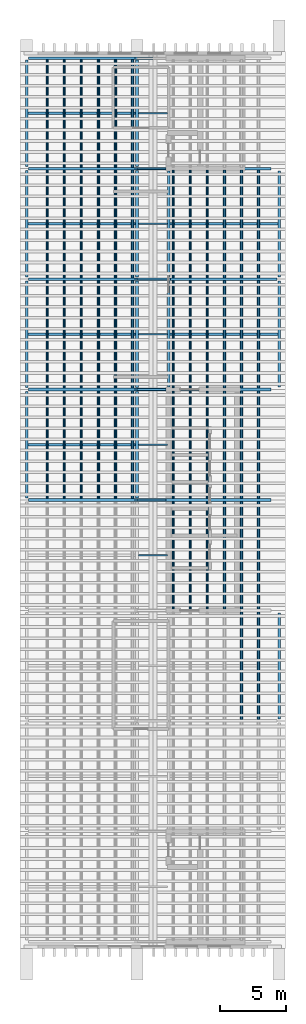
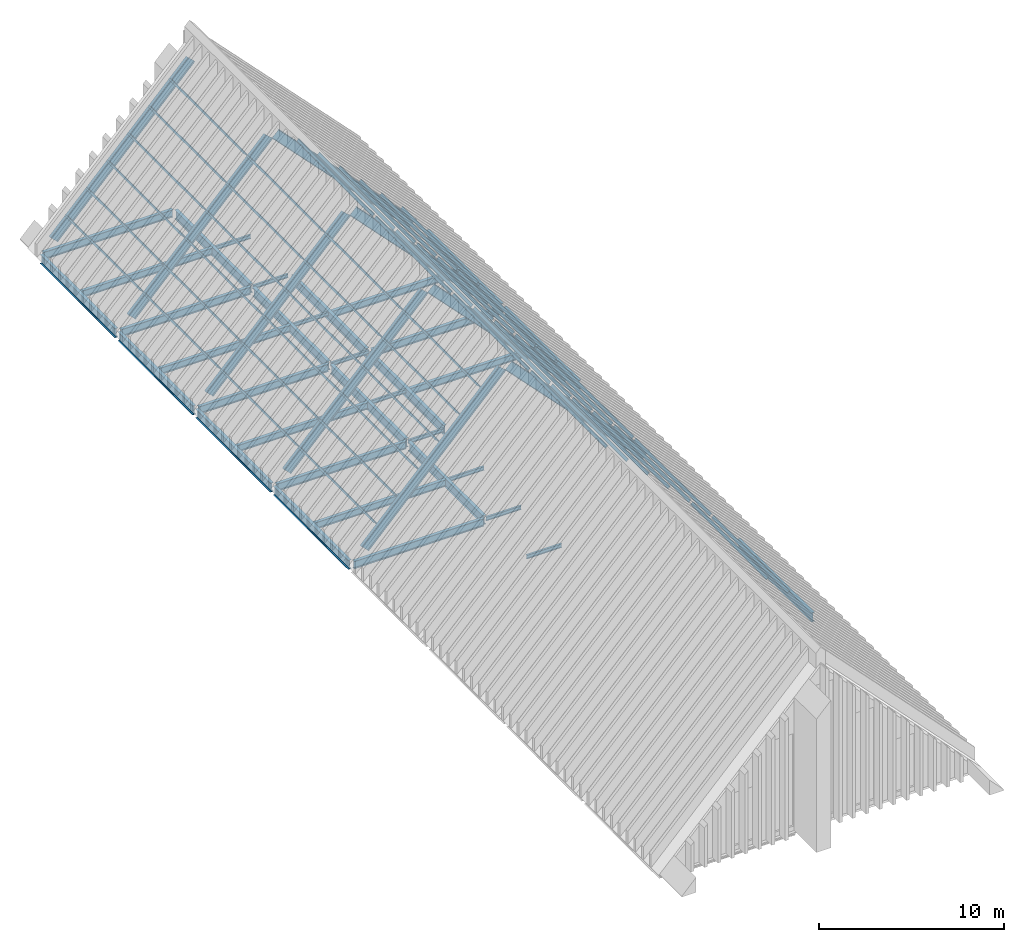
# One storey, part 2 of 6: 59 members, 34 beams.
"""IFC4 building model written with IfcOpenShell, lengths in metres."""

from ifc_helpers import new_model, si_unit, direction, frame, origin, origin_2d, place, context, subcontext, project, spatial, i_section, extrude, material, material_profile, profile_set, type_object, element, save


model = new_model("IFC4")

# Units and contexts
model_context = context("Model", 3, precision=1e-05, world=origin(), true_north=direction((0.0, 1.0)))
body_context = subcontext(model_context, "Body", "Model", "MODEL_VIEW")
ifc_project = project(units=[si_unit("LENGTHUNIT", "METRE"), si_unit("AREAUNIT", "SQUARE_METRE"), si_unit("VOLUMEUNIT", "CUBIC_METRE"), si_unit("PLANEANGLEUNIT", "RADIAN"), si_unit("MASSUNIT", "GRAM", prefix="KILO")], contexts=[model_context])

# Site, building, storey
site_placement = place(None, origin())
site = spatial("IfcSite", under=ifc_project, at=site_placement, CompositionType="ELEMENT")
building_placement = place(site_placement, origin())
building = spatial("IfcBuilding", under=site, at=building_placement, Name="Cresset Court Congress Hotel", CompositionType="ELEMENT")
storey_placement = place(building_placement, frame((0.0, 0.0, 64.800048828125)))
storey = spatial("IfcBuildingStorey", under=building, at=storey_placement, Name="L15", CompositionType="ELEMENT", Elevation=64.800048828125)

# Members
ifc_material_1 = material(Name="Structural steel Q355B", Category="steel")
ifc_material_profile_1 = material_profile(ifc_material_1, i_section(OverallWidth=0.10009765625, OverallDepth=0.199951171875, WebThickness=0.005615234375, FlangeThickness=0.008056640625, FilletRadius=0.012939453125, at=origin_2d()), Name="HN200x100x5.5x8")
ifc_profile_set_1 = profile_set([ifc_material_profile_1], Name="Structural steel Q355B")
member_type_1 = type_object("IfcMemberType", Name="Roof purlin HN200x100x5.5x8", PredefinedType="PURLIN", material=ifc_profile_set_1)
for number, where, z_axis, x_axis, name in (
    (1, (165.25146484375, 33.699951171875, 8.529541015625), (0.0, 1.0, 0.0), (-0.693245874601, 0.0, -0.720701156756), "A.pur.L15.W.0.4"),
    (2, (165.25146484375, 42.10009765625, 8.529541015625), (0.0, 1.0, 0.0), (-0.693245874601, 0.0, -0.720701156756), "A.pur.L15.W.0.5"),
    (3, (165.25146484375, 50.5, 8.529541015625), (0.0, 1.0, 0.0), (-0.693245874601, 0.0, -0.720701156756), "A.pur.L15.W.0.6"),
):
    element("IfcMember", number, at=place(storey_placement, frame(where, z_axis=z_axis, x_axis=x_axis)), inside=storey, type_object=member_type_1, Name=name, PredefinedType="PURLIN", context=body_context, shape_type="SweptSolid", body=[
        extrude(i_section(OverallWidth=0.10009765625, OverallDepth=0.199951171875, WebThickness=0.005615234375, FlangeThickness=0.008056640625, FilletRadius=0.012939453125, at=origin_2d()), origin(), (0.0, 0.0, 1.0), 8.199951171875),
    ])
member_1_placement = place(storey_placement, frame((165.25146484375, 58.89990234375, 8.529541015625), z_axis=(0.0, 1.0, 0.0), x_axis=(-0.693245874601, 0.0, -0.720701156756)))
element("IfcMember", 4, at=member_1_placement, inside=storey, type_object=member_type_1, Name="A.pur.L15.W.0.7", PredefinedType="PURLIN", context=body_context, shape_type="SweptSolid", body=[
    extrude(i_section(OverallWidth=0.10009765625, OverallDepth=0.199951171875, WebThickness=0.005615234375, FlangeThickness=0.008056640625, FilletRadius=0.012939453125, at=origin_2d()), origin(), (0.0, 0.0, 1.0), 8.2001953125),
])
for number, where, z_axis, x_axis, name in (
    (5, (163.95458984375, 33.699951171875, 7.18115234375), (0.0, 1.0, 0.0), (-0.693245874601, 0.0, -0.720701156756), "A.pur.L15.W.1.4"),
    (6, (163.95458984375, 42.10009765625, 7.18115234375), (0.0, 1.0, 0.0), (-0.693245874601, 0.0, -0.720701156756), "A.pur.L15.W.1.5"),
    (7, (163.95458984375, 50.5, 7.18115234375), (0.0, 1.0, 0.0), (-0.693245874601, 0.0, -0.720701156756), "A.pur.L15.W.1.6"),
):
    element("IfcMember", number, at=place(storey_placement, frame(where, z_axis=z_axis, x_axis=x_axis)), inside=storey, type_object=member_type_1, Name=name, PredefinedType="PURLIN", context=body_context, shape_type="SweptSolid", body=[
        extrude(i_section(OverallWidth=0.10009765625, OverallDepth=0.199951171875, WebThickness=0.005615234375, FlangeThickness=0.008056640625, FilletRadius=0.012939453125, at=origin_2d()), origin(), (0.0, 0.0, 1.0), 8.199951171875),
    ])
member_2_placement = place(storey_placement, frame((163.95458984375, 58.89990234375, 7.18115234375), z_axis=(0.0, 1.0, 0.0), x_axis=(-0.693245874601, 0.0, -0.720701156756)))
element("IfcMember", 8, at=member_2_placement, inside=storey, type_object=member_type_1, Name="A.pur.L15.W.1.7", PredefinedType="PURLIN", context=body_context, shape_type="SweptSolid", body=[
    extrude(i_section(OverallWidth=0.10009765625, OverallDepth=0.199951171875, WebThickness=0.005615234375, FlangeThickness=0.008056640625, FilletRadius=0.012939453125, at=origin_2d()), origin(), (0.0, 0.0, 1.0), 8.2001953125),
])
for number, where, z_axis, x_axis, name in (
    (9, (162.65771484375, 33.699951171875, 5.832763671875), (0.0, 1.0, 0.0), (-0.693245874601, 0.0, -0.720701156756), "A.pur.L15.W.2.4"),
    (10, (162.65771484375, 42.10009765625, 5.832763671875), (0.0, 1.0, 0.0), (-0.693245874601, 0.0, -0.720701156756), "A.pur.L15.W.2.5"),
    (11, (162.65771484375, 50.5, 5.832763671875), (0.0, 1.0, 0.0), (-0.693245874601, 0.0, -0.720701156756), "A.pur.L15.W.2.6"),
):
    element("IfcMember", number, at=place(storey_placement, frame(where, z_axis=z_axis, x_axis=x_axis)), inside=storey, type_object=member_type_1, Name=name, PredefinedType="PURLIN", context=body_context, shape_type="SweptSolid", body=[
        extrude(i_section(OverallWidth=0.10009765625, OverallDepth=0.199951171875, WebThickness=0.005615234375, FlangeThickness=0.008056640625, FilletRadius=0.012939453125, at=origin_2d()), origin(), (0.0, 0.0, 1.0), 8.199951171875),
    ])
member_3_placement = place(storey_placement, frame((162.65771484375, 58.89990234375, 5.832763671875), z_axis=(0.0, 1.0, 0.0), x_axis=(-0.693245874601, 0.0, -0.720701156756)))
element("IfcMember", 12, at=member_3_placement, inside=storey, type_object=member_type_1, Name="A.pur.L15.W.2.7", PredefinedType="PURLIN", context=body_context, shape_type="SweptSolid", body=[
    extrude(i_section(OverallWidth=0.10009765625, OverallDepth=0.199951171875, WebThickness=0.005615234375, FlangeThickness=0.008056640625, FilletRadius=0.012939453125, at=origin_2d()), origin(), (0.0, 0.0, 1.0), 8.2001953125),
])
for number, where, z_axis, x_axis, name in (
    (13, (161.360595703125, 33.699951171875, 4.484375), (0.0, 1.0, 0.0), (-0.693245874601, 0.0, -0.720701156756), "A.pur.L15.W.3.4"),
    (14, (161.360595703125, 42.10009765625, 4.484375), (0.0, 1.0, 0.0), (-0.693245874601, 0.0, -0.720701156756), "A.pur.L15.W.3.5"),
    (15, (161.360595703125, 50.5, 4.484375), (0.0, 1.0, 0.0), (-0.693245874601, 0.0, -0.720701156756), "A.pur.L15.W.3.6"),
):
    element("IfcMember", number, at=place(storey_placement, frame(where, z_axis=z_axis, x_axis=x_axis)), inside=storey, type_object=member_type_1, Name=name, PredefinedType="PURLIN", context=body_context, shape_type="SweptSolid", body=[
        extrude(i_section(OverallWidth=0.10009765625, OverallDepth=0.199951171875, WebThickness=0.005615234375, FlangeThickness=0.008056640625, FilletRadius=0.012939453125, at=origin_2d()), origin(), (0.0, 0.0, 1.0), 8.199951171875),
    ])
member_4_placement = place(storey_placement, frame((161.360595703125, 58.89990234375, 4.484375), z_axis=(0.0, 1.0, 0.0), x_axis=(-0.693245874601, 0.0, -0.720701156756)))
element("IfcMember", 16, at=member_4_placement, inside=storey, type_object=member_type_1, Name="A.pur.L15.W.3.7", PredefinedType="PURLIN", context=body_context, shape_type="SweptSolid", body=[
    extrude(i_section(OverallWidth=0.10009765625, OverallDepth=0.199951171875, WebThickness=0.005615234375, FlangeThickness=0.008056640625, FilletRadius=0.012939453125, at=origin_2d()), origin(), (0.0, 0.0, 1.0), 8.2001953125),
])
for number, where, z_axis, x_axis, name in (
    (17, (160.063720703125, 33.699951171875, 3.13623046875), (0.0, 1.0, 0.0), (-0.693245874601, 0.0, -0.720701156756), "A.pur.L15.W.4.4"),
    (18, (160.063720703125, 42.10009765625, 3.13623046875), (0.0, 1.0, 0.0), (-0.693245874601, 0.0, -0.720701156756), "A.pur.L15.W.4.5"),
    (19, (160.063720703125, 50.5, 3.13623046875), (0.0, 1.0, 0.0), (-0.693245874601, 0.0, -0.720701156756), "A.pur.L15.W.4.6"),
):
    element("IfcMember", number, at=place(storey_placement, frame(where, z_axis=z_axis, x_axis=x_axis)), inside=storey, type_object=member_type_1, Name=name, PredefinedType="PURLIN", context=body_context, shape_type="SweptSolid", body=[
        extrude(i_section(OverallWidth=0.10009765625, OverallDepth=0.199951171875, WebThickness=0.005615234375, FlangeThickness=0.008056640625, FilletRadius=0.012939453125, at=origin_2d()), origin(), (0.0, 0.0, 1.0), 8.199951171875),
    ])
member_5_placement = place(storey_placement, frame((160.063720703125, 58.89990234375, 3.13623046875), z_axis=(0.0, 1.0, 0.0), x_axis=(-0.693245874601, 0.0, -0.720701156756)))
element("IfcMember", 20, at=member_5_placement, inside=storey, type_object=member_type_1, Name="A.pur.L15.W.4.7", PredefinedType="PURLIN", context=body_context, shape_type="SweptSolid", body=[
    extrude(i_section(OverallWidth=0.10009765625, OverallDepth=0.199951171875, WebThickness=0.005615234375, FlangeThickness=0.008056640625, FilletRadius=0.012939453125, at=origin_2d()), origin(), (0.0, 0.0, 1.0), 8.2001953125),
])
for number, where, z_axis, x_axis, name in (
    (21, (158.7666015625, 33.699951171875, 1.787841796875), (0.0, 1.0, 0.0), (-0.693245874601, 0.0, -0.720701156756), "A.pur.L15.W.5.4"),
    (22, (158.7666015625, 42.10009765625, 1.787841796875), (0.0, 1.0, 0.0), (-0.693245874601, 0.0, -0.720701156756), "A.pur.L15.W.5.5"),
    (23, (158.7666015625, 50.5, 1.787841796875), (0.0, 1.0, 0.0), (-0.693245874601, 0.0, -0.720701156756), "A.pur.L15.W.5.6"),
):
    element("IfcMember", number, at=place(storey_placement, frame(where, z_axis=z_axis, x_axis=x_axis)), inside=storey, type_object=member_type_1, Name=name, PredefinedType="PURLIN", context=body_context, shape_type="SweptSolid", body=[
        extrude(i_section(OverallWidth=0.10009765625, OverallDepth=0.199951171875, WebThickness=0.005615234375, FlangeThickness=0.008056640625, FilletRadius=0.012939453125, at=origin_2d()), origin(), (0.0, 0.0, 1.0), 8.199951171875),
    ])
member_6_placement = place(storey_placement, frame((158.7666015625, 58.89990234375, 1.787841796875), z_axis=(0.0, 1.0, 0.0), x_axis=(-0.693245874601, 0.0, -0.720701156756)))
element("IfcMember", 24, at=member_6_placement, inside=storey, type_object=member_type_1, Name="A.pur.L15.W.5.7", PredefinedType="PURLIN", context=body_context, shape_type="SweptSolid", body=[
    extrude(i_section(OverallWidth=0.10009765625, OverallDepth=0.199951171875, WebThickness=0.005615234375, FlangeThickness=0.008056640625, FilletRadius=0.012939453125, at=origin_2d()), origin(), (0.0, 0.0, 1.0), 8.2001953125),
])
for number, where, z_axis, x_axis, name in (
    (25, (168.348388671875, 25.300048828125, 8.529541015625), (0.0, 1.0, 0.0), (-0.693245874601, 0.0, 0.720701156756), "A.pur.L15.E.0.3"),
    (26, (168.348388671875, 33.699951171875, 8.529541015625), (0.0, 1.0, 0.0), (-0.693245874601, 0.0, 0.720701156756), "A.pur.L15.E.0.4"),
    (27, (168.348388671875, 42.10009765625, 8.529541015625), (0.0, 1.0, 0.0), (-0.693245874601, 0.0, 0.720701156756), "A.pur.L15.E.0.5"),
    (28, (168.348388671875, 50.5, 8.529541015625), (0.0, 1.0, 0.0), (-0.693245874601, 0.0, 0.720701156756), "A.pur.L15.E.0.6"),
    (29, (169.6455078125, 25.300048828125, 7.18115234375), (0.0, 1.0, 0.0), (-0.693245874601, 0.0, 0.720701156756), "A.pur.L15.E.1.3"),
    (30, (169.6455078125, 33.699951171875, 7.18115234375), (0.0, 1.0, 0.0), (-0.693245874601, 0.0, 0.720701156756), "A.pur.L15.E.1.4"),
    (31, (169.6455078125, 42.10009765625, 7.18115234375), (0.0, 1.0, 0.0), (-0.693245874601, 0.0, 0.720701156756), "A.pur.L15.E.1.5"),
    (32, (169.6455078125, 50.5, 7.18115234375), (0.0, 1.0, 0.0), (-0.693245874601, 0.0, 0.720701156756), "A.pur.L15.E.1.6"),
    (33, (170.9423828125, 25.300048828125, 5.832763671875), (0.0, 1.0, 0.0), (-0.693245874601, 0.0, 0.720701156756), "A.pur.L15.E.2.3"),
    (34, (170.9423828125, 33.699951171875, 5.832763671875), (0.0, 1.0, 0.0), (-0.693245874601, 0.0, 0.720701156756), "A.pur.L15.E.2.4"),
    (35, (170.9423828125, 42.10009765625, 5.832763671875), (0.0, 1.0, 0.0), (-0.693245874601, 0.0, 0.720701156756), "A.pur.L15.E.2.5"),
    (36, (170.9423828125, 50.5, 5.832763671875), (0.0, 1.0, 0.0), (-0.693245874601, 0.0, 0.720701156756), "A.pur.L15.E.2.6"),
    (37, (172.239501953125, 25.300048828125, 4.484375), (0.0, 1.0, 0.0), (-0.693245874601, 0.0, 0.720701156756), "A.pur.L15.E.3.3"),
    (38, (172.239501953125, 33.699951171875, 4.484375), (0.0, 1.0, 0.0), (-0.693245874601, 0.0, 0.720701156756), "A.pur.L15.E.3.4"),
    (39, (172.239501953125, 42.10009765625, 4.484375), (0.0, 1.0, 0.0), (-0.693245874601, 0.0, 0.720701156756), "A.pur.L15.E.3.5"),
    (40, (172.239501953125, 50.5, 4.484375), (0.0, 1.0, 0.0), (-0.693245874601, 0.0, 0.720701156756), "A.pur.L15.E.3.6"),
):
    element("IfcMember", number, at=place(storey_placement, frame(where, z_axis=z_axis, x_axis=x_axis)), inside=storey, type_object=member_type_1, Name=name, PredefinedType="PURLIN", context=body_context, shape_type="SweptSolid", body=[
        extrude(i_section(OverallWidth=0.10009765625, OverallDepth=0.199951171875, WebThickness=0.005615234375, FlangeThickness=0.008056640625, FilletRadius=0.012939453125, at=origin_2d()), origin(), (0.0, 0.0, 1.0), 8.199951171875),
    ])
member_7_placement = place(storey_placement, frame((173.536376953125, 16.89990234375, 3.13623046875), z_axis=(0.0, 1.0, 0.0), x_axis=(-0.693245874601, 0.0, 0.720701156756)))
element("IfcMember", 41, at=member_7_placement, inside=storey, type_object=member_type_1, Name="A.pur.L15.E.4.2", PredefinedType="PURLIN", context=body_context, shape_type="SweptSolid", body=[
    extrude(i_section(OverallWidth=0.10009765625, OverallDepth=0.199951171875, WebThickness=0.005615234375, FlangeThickness=0.008056640625, FilletRadius=0.012939453125, at=origin_2d()), origin(), (0.0, 0.0, 1.0), 8.2001953125),
])
for number, where, z_axis, x_axis, name in (
    (42, (173.536376953125, 25.300048828125, 3.13623046875), (0.0, 1.0, 0.0), (-0.693245874601, 0.0, 0.720701156756), "A.pur.L15.E.4.3"),
    (43, (173.536376953125, 33.699951171875, 3.13623046875), (0.0, 1.0, 0.0), (-0.693245874601, 0.0, 0.720701156756), "A.pur.L15.E.4.4"),
    (44, (173.536376953125, 42.10009765625, 3.13623046875), (0.0, 1.0, 0.0), (-0.693245874601, 0.0, 0.720701156756), "A.pur.L15.E.4.5"),
    (45, (173.536376953125, 50.5, 3.13623046875), (0.0, 1.0, 0.0), (-0.693245874601, 0.0, 0.720701156756), "A.pur.L15.E.4.6"),
):
    element("IfcMember", number, at=place(storey_placement, frame(where, z_axis=z_axis, x_axis=x_axis)), inside=storey, type_object=member_type_1, Name=name, PredefinedType="PURLIN", context=body_context, shape_type="SweptSolid", body=[
        extrude(i_section(OverallWidth=0.10009765625, OverallDepth=0.199951171875, WebThickness=0.005615234375, FlangeThickness=0.008056640625, FilletRadius=0.012939453125, at=origin_2d()), origin(), (0.0, 0.0, 1.0), 8.199951171875),
    ])
member_8_placement = place(storey_placement, frame((174.83349609375, 16.89990234375, 1.787841796875), z_axis=(0.0, 1.0, 0.0), x_axis=(-0.693245874601, 0.0, 0.720701156756)))
element("IfcMember", 46, at=member_8_placement, inside=storey, type_object=member_type_1, Name="A.pur.L15.E.5.2", PredefinedType="PURLIN", context=body_context, shape_type="SweptSolid", body=[
    extrude(i_section(OverallWidth=0.10009765625, OverallDepth=0.199951171875, WebThickness=0.005615234375, FlangeThickness=0.008056640625, FilletRadius=0.012939453125, at=origin_2d()), origin(), (0.0, 0.0, 1.0), 8.2001953125),
])
for number, where, z_axis, x_axis, name in (
    (47, (174.83349609375, 25.300048828125, 1.787841796875), (0.0, 1.0, 0.0), (-0.693245874601, 0.0, 0.720701156756), "A.pur.L15.E.5.3"),
    (48, (174.83349609375, 33.699951171875, 1.787841796875), (0.0, 1.0, 0.0), (-0.693245874601, 0.0, 0.720701156756), "A.pur.L15.E.5.4"),
    (49, (174.83349609375, 42.10009765625, 1.787841796875), (0.0, 1.0, 0.0), (-0.693245874601, 0.0, 0.720701156756), "A.pur.L15.E.5.5"),
    (50, (174.83349609375, 50.5, 1.787841796875), (0.0, 1.0, 0.0), (-0.693245874601, 0.0, 0.720701156756), "A.pur.L15.E.5.6"),
):
    element("IfcMember", number, at=place(storey_placement, frame(where, z_axis=z_axis, x_axis=x_axis)), inside=storey, type_object=member_type_1, Name=name, PredefinedType="PURLIN", context=body_context, shape_type="SweptSolid", body=[
        extrude(i_section(OverallWidth=0.10009765625, OverallDepth=0.199951171875, WebThickness=0.005615234375, FlangeThickness=0.008056640625, FilletRadius=0.012939453125, at=origin_2d()), origin(), (0.0, 0.0, 1.0), 8.199951171875),
    ])
ifc_material_2 = material(Name="Structural steel Q355B", Category="steel")
ifc_material_profile_2 = material_profile(ifc_material_2, i_section(OverallWidth=0.199951171875, OverallDepth=0.60009765625, WebThickness=0.010986328125, FlangeThickness=0.01708984375, FilletRadius=0.012939453125, at=origin_2d()), Name="HN600x200x11x17")
ifc_profile_set_2 = profile_set([ifc_material_profile_2], Name="Structural steel Q355B")
member_type_2 = type_object("IfcMemberType", Name="Roof rafter HN600x200x11x17", PredefinedType="RAFTER", material=ifc_profile_set_2)
for number, where, z_axis, x_axis, name in (
    (51, (158.018310546875, 33.60009765625, 0.4326171875), (0.693230724133, 0.0, 0.720715729756), (0.0, 1.0, 0.0), "Rafter W5"),
    (52, (158.018310546875, 42.0, 0.4326171875), (0.693230724133, 0.0, 0.720715729756), (0.0, 1.0, 0.0), "Rafter W6"),
    (53, (158.018310546875, 50.39990234375, 0.4326171875), (0.693230724133, 0.0, 0.720715729756), (0.0, 1.0, 0.0), "Rafter W7"),
    (54, (158.018310546875, 58.800048828125, 0.4326171875), (0.693230724133, 0.0, 0.720715729756), (0.0, 1.0, 0.0), "Rafter W8"),
    (55, (158.018310546875, 67.199951171875, 0.4326171875), (0.693230724133, 0.0, 0.720715729756), (0.0, 1.0, 0.0), "Rafter W9"),
):
    element("IfcMember", number, at=place(storey_placement, frame(where, z_axis=z_axis, x_axis=x_axis)), inside=storey, type_object=member_type_2, Name=name, PredefinedType="RAFTER", context=body_context, shape_type="SweptSolid", body=[
        extrude(i_section(OverallWidth=0.199951171875, OverallDepth=0.60009765625, WebThickness=0.010986328125, FlangeThickness=0.01708984375, FilletRadius=0.012939453125, at=origin_2d()), origin(), (0.0, 0.0, 1.0), 12.355712890625),
    ])
for number, where, z_axis, x_axis, name in (
    (56, (175.581787109375, 33.60009765625, 0.4326171875), (-0.693240987451, 0.0, 0.720705857696), (0.0, -1.0, 0.0), "Rafter E5"),
    (57, (175.581787109375, 42.0, 0.4326171875), (-0.693240987451, 0.0, 0.720705857696), (0.0, -1.0, 0.0), "Rafter E6"),
    (58, (175.581787109375, 50.39990234375, 0.4326171875), (-0.693240987451, 0.0, 0.720705857696), (0.0, -1.0, 0.0), "Rafter E7"),
    (59, (175.581787109375, 58.800048828125, 0.4326171875), (-0.693240987451, 0.0, 0.720705857696), (0.0, -1.0, 0.0), "Rafter E8"),
):
    element("IfcMember", number, at=place(storey_placement, frame(where, z_axis=z_axis, x_axis=x_axis)), inside=storey, type_object=member_type_2, Name=name, PredefinedType="RAFTER", context=body_context, shape_type="SweptSolid", body=[
        extrude(i_section(OverallWidth=0.199951171875, OverallDepth=0.60009765625, WebThickness=0.010986328125, FlangeThickness=0.01708984375, FilletRadius=0.012939453125, at=origin_2d()), origin(), (0.0, 0.0, 1.0), 12.35595703125),
    ])

# Beams
ifc_material_3 = material(Name="Structural steel Q355B", Category="steel")
ifc_material_profile_3 = material_profile(ifc_material_3, i_section(OverallWidth=0.198974609375, OverallDepth=0.446044921875, WebThickness=0.008056640625, FlangeThickness=0.011962890625, FilletRadius=0.012939453125, at=origin_2d()), Name="HN446x199x8x12")
ifc_profile_set_3 = profile_set([ifc_material_profile_3], Name="Structural steel Q355B")
beam_type_1 = type_object("IfcBeamType", Name="Steel beam HN446x199x8x12", PredefinedType="BEAM", material=ifc_profile_set_3)
for number, where, z_axis, x_axis, name in (
    (60, (157.300048828125, 37.800048828125, -0.373046875), (1.0, 0.0, 0.0), (0.0, 1.0, 0.0), "A.bm.L15.W.mid.4"),
    (61, (157.300048828125, 46.199951171875, -0.373046875), (1.0, 0.0, 0.0), (0.0, 1.0, 0.0), "A.bm.L15.W.mid.5"),
    (62, (168.10009765625, 46.199951171875, -0.373046875), (1.0, 0.0, 0.0), (0.0, 1.0, 0.0), "A.bm.L15.E.mid.5"),
    (63, (157.300048828125, 54.60009765625, -0.373046875), (1.0, 0.0, 0.0), (0.0, 1.0, 0.0), "A.bm.L15.W.mid.6"),
    (64, (168.10009765625, 54.60009765625, -0.373046875), (1.0, 0.0, 0.0), (0.0, 1.0, 0.0), "A.bm.L15.E.mid.6"),
    (65, (157.300048828125, 63.0, -0.373046875), (1.0, 0.0, 0.0), (0.0, 1.0, 0.0), "A.bm.L15.W.mid.7"),
):
    element("IfcBeam", number, at=place(storey_placement, frame(where, z_axis=z_axis, x_axis=x_axis)), inside=storey, type_object=beam_type_1, Name=name, PredefinedType="BEAM", context=body_context, shape_type="SweptSolid", body=[
        extrude(i_section(OverallWidth=0.198974609375, OverallDepth=0.446044921875, WebThickness=0.008056640625, FlangeThickness=0.011962890625, FilletRadius=0.012939453125, at=origin_2d()), origin(), (0.0, 0.0, 1.0), 8.199951171875),
    ])
ifc_material_4 = material(Name="Structural steel Q355B", Category="steel")
ifc_material_profile_4 = material_profile(ifc_material_4, i_section(OverallWidth=0.125, OverallDepth=0.25, WebThickness=0.006103515625, FlangeThickness=0.009033203125, FilletRadius=0.012939453125, at=origin_2d()), Name="HN250x125x6x9")
ifc_profile_set_4 = profile_set([ifc_material_profile_4], Name="Structural steel Q355B")
beam_type_2 = type_object("IfcBeamType", Name="Steel corridor beam HN250x125x6x9", PredefinedType="BEAM", material=ifc_profile_set_4)
beam_1_placement = place(storey_placement, frame((165.699951171875, 29.39990234375, -0.275146484375), z_axis=(1.0, 0.0, 0.0), x_axis=(0.0, 1.0, 0.0)))
element("IfcBeam", 66, at=beam_1_placement, inside=storey, type_object=beam_type_2, Name="A.bm.L15.C.mid.3", PredefinedType="BEAM", context=body_context, shape_type="SweptSolid", body=[
    extrude(i_section(OverallWidth=0.125, OverallDepth=0.25, WebThickness=0.006103515625, FlangeThickness=0.009033203125, FilletRadius=0.012939453125, at=origin_2d()), origin(), (0.0, 0.0, 1.0), 2.199951171875),
])
beam_2_placement = place(storey_placement, frame((165.60498046875, 33.60009765625, -0.275146484375), z_axis=(1.0, 0.0, 0.0), x_axis=(0.0, 1.0, 0.0)))
element("IfcBeam", 67, at=beam_2_placement, inside=storey, type_object=beam_type_2, Name="A.bm.L15.C.frame0.4", PredefinedType="BEAM", context=body_context, shape_type="SweptSolid", body=[
    extrude(i_section(OverallWidth=0.125, OverallDepth=0.25, WebThickness=0.006103515625, FlangeThickness=0.009033203125, FilletRadius=0.012939453125, at=origin_2d()), origin(), (0.0, 0.0, 1.0), 2.195068359375),
])
beam_3_placement = place(storey_placement, frame((165.699951171875, 37.800048828125, -0.275146484375), z_axis=(1.0, 0.0, 0.0), x_axis=(0.0, 1.0, 0.0)))
element("IfcBeam", 68, at=beam_3_placement, inside=storey, type_object=beam_type_2, Name="A.bm.L15.C.mid.4", PredefinedType="BEAM", context=body_context, shape_type="SweptSolid", body=[
    extrude(i_section(OverallWidth=0.125, OverallDepth=0.25, WebThickness=0.006103515625, FlangeThickness=0.009033203125, FilletRadius=0.012939453125, at=origin_2d()), origin(), (0.0, 0.0, 1.0), 2.199951171875),
])
beam_4_placement = place(storey_placement, frame((165.60498046875, 42.0, -0.275146484375), z_axis=(1.0, 0.0, 0.0), x_axis=(0.0, 1.0, 0.0)))
element("IfcBeam", 69, at=beam_4_placement, inside=storey, type_object=beam_type_2, Name="A.bm.L15.C.frame0.5", PredefinedType="BEAM", context=body_context, shape_type="SweptSolid", body=[
    extrude(i_section(OverallWidth=0.125, OverallDepth=0.25, WebThickness=0.006103515625, FlangeThickness=0.009033203125, FilletRadius=0.012939453125, at=origin_2d()), origin(), (0.0, 0.0, 1.0), 2.195068359375),
])
beam_5_placement = place(storey_placement, frame((165.699951171875, 46.199951171875, -0.275146484375), z_axis=(1.0, 0.0, 0.0), x_axis=(0.0, 1.0, 0.0)))
element("IfcBeam", 70, at=beam_5_placement, inside=storey, type_object=beam_type_2, Name="A.bm.L15.C.mid.5", PredefinedType="BEAM", context=body_context, shape_type="SweptSolid", body=[
    extrude(i_section(OverallWidth=0.125, OverallDepth=0.25, WebThickness=0.006103515625, FlangeThickness=0.009033203125, FilletRadius=0.012939453125, at=origin_2d()), origin(), (0.0, 0.0, 1.0), 2.199951171875),
])
beam_6_placement = place(storey_placement, frame((165.60498046875, 50.39990234375, -0.275146484375), z_axis=(1.0, 0.0, 0.0), x_axis=(0.0, 1.0, 0.0)))
element("IfcBeam", 71, at=beam_6_placement, inside=storey, type_object=beam_type_2, Name="A.bm.L15.C.frame0.6", PredefinedType="BEAM", context=body_context, shape_type="SweptSolid", body=[
    extrude(i_section(OverallWidth=0.125, OverallDepth=0.25, WebThickness=0.006103515625, FlangeThickness=0.009033203125, FilletRadius=0.012939453125, at=origin_2d()), origin(), (0.0, 0.0, 1.0), 2.39013671875),
])
beam_7_placement = place(storey_placement, frame((165.699951171875, 54.60009765625, -0.275146484375), z_axis=(1.0, 0.0, 0.0), x_axis=(0.0, 1.0, 0.0)))
element("IfcBeam", 72, at=beam_7_placement, inside=storey, type_object=beam_type_2, Name="A.bm.L15.C.mid.6", PredefinedType="BEAM", context=body_context, shape_type="SweptSolid", body=[
    extrude(i_section(OverallWidth=0.125, OverallDepth=0.25, WebThickness=0.006103515625, FlangeThickness=0.009033203125, FilletRadius=0.012939453125, at=origin_2d()), origin(), (0.0, 0.0, 1.0), 2.199951171875),
])
beam_8_placement = place(storey_placement, frame((165.60498046875, 58.800048828125, -0.275146484375), z_axis=(1.0, 0.0, 0.0), x_axis=(0.0, 1.0, 0.0)))
element("IfcBeam", 73, at=beam_8_placement, inside=storey, type_object=beam_type_2, Name="A.bm.L15.C.frame0.7", PredefinedType="BEAM", context=body_context, shape_type="SweptSolid", body=[
    extrude(i_section(OverallWidth=0.125, OverallDepth=0.25, WebThickness=0.006103515625, FlangeThickness=0.009033203125, FilletRadius=0.012939453125, at=origin_2d()), origin(), (0.0, 0.0, 1.0), 2.195068359375),
])
beam_9_placement = place(storey_placement, frame((165.699951171875, 63.0, -0.275146484375), z_axis=(1.0, 0.0, 0.0), x_axis=(0.0, 1.0, 0.0)))
element("IfcBeam", 74, at=beam_9_placement, inside=storey, type_object=beam_type_2, Name="A.bm.L15.C.mid.7", PredefinedType="BEAM", context=body_context, shape_type="SweptSolid", body=[
    extrude(i_section(OverallWidth=0.125, OverallDepth=0.25, WebThickness=0.006103515625, FlangeThickness=0.009033203125, FilletRadius=0.012939453125, at=origin_2d()), origin(), (0.0, 0.0, 1.0), 2.199951171875),
])
ifc_material_5 = material(Name="Structural steel Q355B", Category="steel")
ifc_material_profile_5 = material_profile(ifc_material_5, i_section(OverallWidth=0.199951171875, OverallDepth=0.5, WebThickness=0.010009765625, FlangeThickness=0.01611328125, FilletRadius=0.012939453125, at=origin_2d()), Name="HN500x200x10x16")
ifc_profile_set_5 = profile_set([ifc_material_profile_5], Name="Structural steel Q355B")
beam_type_3 = type_object("IfcBeamType", Name="Steel eaves tie HN500x200x10x16", PredefinedType="BEAM", material=ifc_profile_set_5)
for number, where, z_axis, x_axis, name in (
    (75, (157.35009765625, 33.60009765625, -0.400146484375), (1.0, 0.0, 0.0), (0.0, 1.0, 0.0), "A.bm.L15.W.frame0.4"),
    (76, (157.35009765625, 42.0, -0.400146484375), (1.0, 0.0, 0.0), (0.0, 1.0, 0.0), "A.bm.L15.W.frame0.5"),
    (77, (157.35009765625, 50.39990234375, -0.400146484375), (1.0, 0.0, 0.0), (0.0, 1.0, 0.0), "A.bm.L15.W.frame0.6"),
):
    element("IfcBeam", number, at=place(storey_placement, frame(where, z_axis=z_axis, x_axis=x_axis)), inside=storey, type_object=beam_type_3, Name=name, PredefinedType="BEAM", context=body_context, shape_type="SweptSolid", body=[
        extrude(i_section(OverallWidth=0.199951171875, OverallDepth=0.5, WebThickness=0.010009765625, FlangeThickness=0.01611328125, FilletRadius=0.012939453125, at=origin_2d()), origin(), (0.0, 0.0, 1.0), 8.099853515625),
    ])
beam_10_placement = place(storey_placement, frame((168.14990234375, 50.39990234375, -0.400146484375), z_axis=(1.0, 0.0, 0.0), x_axis=(0.0, 1.0, 0.0)))
element("IfcBeam", 78, at=beam_10_placement, inside=storey, type_object=beam_type_3, Name="A.bm.L15.E.frame0.6", PredefinedType="BEAM", context=body_context, shape_type="SweptSolid", body=[
    extrude(i_section(OverallWidth=0.199951171875, OverallDepth=0.5, WebThickness=0.010009765625, FlangeThickness=0.01611328125, FilletRadius=0.012939453125, at=origin_2d()), origin(), (0.0, 0.0, 1.0), 8.10009765625),
])
for number, where, z_axis, x_axis, name in (
    (79, (157.35009765625, 58.800048828125, -0.400146484375), (1.0, 0.0, 0.0), (0.0, 1.0, 0.0), "A.bm.L15.W.frame0.7"),
    (80, (157.35009765625, 67.199951171875, -0.400146484375), (1.0, 0.0, 0.0), (0.0, 1.0, 0.0), "A.bm.L15.W.frame1.7"),
):
    element("IfcBeam", number, at=place(storey_placement, frame(where, z_axis=z_axis, x_axis=x_axis)), inside=storey, type_object=beam_type_3, Name=name, PredefinedType="BEAM", context=body_context, shape_type="SweptSolid", body=[
        extrude(i_section(OverallWidth=0.199951171875, OverallDepth=0.5, WebThickness=0.010009765625, FlangeThickness=0.01611328125, FilletRadius=0.012939453125, at=origin_2d()), origin(), (0.0, 0.0, 1.0), 8.099853515625),
    ])
ifc_material_6 = material(Name="Structural steel Q355B", Category="steel")
ifc_material_profile_6 = material_profile(ifc_material_6, i_section(OverallWidth=0.199951171875, OverallDepth=0.60009765625, WebThickness=0.010986328125, FlangeThickness=0.01708984375, FilletRadius=0.012939453125, at=origin_2d()), Name="HN600x200x11x17")
ifc_profile_set_6 = profile_set([ifc_material_profile_6], Name="Structural steel Q355B")
beam_type_4 = type_object("IfcBeamType", Name="Steel girder HN600x200x11x17", PredefinedType="BEAM", material=ifc_profile_set_6)
for number, where, z_axis, x_axis, name in (
    (81, (157.199951171875, 33.75, -0.449951171875), (0.0, 1.0, 0.0), (-1.0, 0.0, 0.0), "A.gir.L15.0.4"),
    (82, (157.199951171875, 42.14990234375, -0.449951171875), (0.0, 1.0, 0.0), (-1.0, 0.0, 0.0), "A.gir.L15.0.5"),
):
    element("IfcBeam", number, at=place(storey_placement, frame(where, z_axis=z_axis, x_axis=x_axis)), inside=storey, type_object=beam_type_4, Name=name, PredefinedType="BEAM", context=body_context, shape_type="SweptSolid", body=[
        extrude(i_section(OverallWidth=0.199951171875, OverallDepth=0.60009765625, WebThickness=0.010986328125, FlangeThickness=0.01708984375, FilletRadius=0.012939453125, at=origin_2d()), origin(), (0.0, 0.0, 1.0), 8.10009765625),
    ])
beam_11_placement = place(storey_placement, frame((157.199951171875, 50.550048828125, -0.449951171875), z_axis=(0.0, 1.0, 0.0), x_axis=(-1.0, 0.0, 0.0)))
element("IfcBeam", 83, at=beam_11_placement, inside=storey, type_object=beam_type_4, Name="A.gir.L15.0.6", PredefinedType="BEAM", context=body_context, shape_type="SweptSolid", body=[
    extrude(i_section(OverallWidth=0.199951171875, OverallDepth=0.60009765625, WebThickness=0.010986328125, FlangeThickness=0.01708984375, FilletRadius=0.012939453125, at=origin_2d()), origin(), (0.0, 0.0, 1.0), 8.099853515625),
])
for number, where, z_axis, x_axis, name in (
    (84, (157.199951171875, 58.949951171875, -0.449951171875), (0.0, 1.0, 0.0), (-1.0, 0.0, 0.0), "A.gir.L15.0.7"),
    (85, (165.60009765625, 33.75, -0.449951171875), (0.0, 1.0, 0.0), (-1.0, 0.0, 0.0), "A.gir.L15.1.4"),
    (86, (165.60009765625, 42.14990234375, -0.449951171875), (0.0, 1.0, 0.0), (-1.0, 0.0, 0.0), "A.gir.L15.1.5"),
):
    element("IfcBeam", number, at=place(storey_placement, frame(where, z_axis=z_axis, x_axis=x_axis)), inside=storey, type_object=beam_type_4, Name=name, PredefinedType="BEAM", context=body_context, shape_type="SweptSolid", body=[
        extrude(i_section(OverallWidth=0.199951171875, OverallDepth=0.60009765625, WebThickness=0.010986328125, FlangeThickness=0.01708984375, FilletRadius=0.012939453125, at=origin_2d()), origin(), (0.0, 0.0, 1.0), 8.10009765625),
    ])
beam_12_placement = place(storey_placement, frame((165.60009765625, 50.550048828125, -0.449951171875), z_axis=(0.0, 1.0, 0.0), x_axis=(-1.0, 0.0, 0.0)))
element("IfcBeam", 87, at=beam_12_placement, inside=storey, type_object=beam_type_4, Name="A.gir.L15.1.6", PredefinedType="BEAM", context=body_context, shape_type="SweptSolid", body=[
    extrude(i_section(OverallWidth=0.199951171875, OverallDepth=0.60009765625, WebThickness=0.010986328125, FlangeThickness=0.01708984375, FilletRadius=0.012939453125, at=origin_2d()), origin(), (0.0, 0.0, 1.0), 8.099853515625),
])
beam_13_placement = place(storey_placement, frame((165.60009765625, 58.949951171875, -0.449951171875), z_axis=(0.0, 1.0, 0.0), x_axis=(-1.0, 0.0, 0.0)))
element("IfcBeam", 88, at=beam_13_placement, inside=storey, type_object=beam_type_4, Name="A.gir.L15.1.7", PredefinedType="BEAM", context=body_context, shape_type="SweptSolid", body=[
    extrude(i_section(OverallWidth=0.199951171875, OverallDepth=0.60009765625, WebThickness=0.010986328125, FlangeThickness=0.01708984375, FilletRadius=0.012939453125, at=origin_2d()), origin(), (0.0, 0.0, 1.0), 8.10009765625),
])
for number, where, z_axis, x_axis, name in (
    (89, (168.0, 42.199951171875, -0.449951171875), (0.0, 1.0, 0.0), (-1.0, 0.0, 0.0), "A.gir.L15.2.5"),
    (90, (168.0, 50.550048828125, -0.449951171875), (0.0, 1.0, 0.0), (-1.0, 0.0, 0.0), "A.gir.L15.2.6"),
    (91, (176.39990234375, 16.949951171875, -0.449951171875), (0.0, 1.0, 0.0), (-1.0, 0.0, 0.0), "A.gir.L15.3.2"),
    (92, (176.39990234375, 42.199951171875, -0.449951171875), (0.0, 1.0, 0.0), (-1.0, 0.0, 0.0), "A.gir.L15.3.5"),
    (93, (176.39990234375, 50.550048828125, -0.449951171875), (0.0, 1.0, 0.0), (-1.0, 0.0, 0.0), "A.gir.L15.3.6"),
):
    element("IfcBeam", number, at=place(storey_placement, frame(where, z_axis=z_axis, x_axis=x_axis)), inside=storey, type_object=beam_type_4, Name=name, PredefinedType="BEAM", context=body_context, shape_type="SweptSolid", body=[
        extrude(i_section(OverallWidth=0.199951171875, OverallDepth=0.60009765625, WebThickness=0.010986328125, FlangeThickness=0.01708984375, FilletRadius=0.012939453125, at=origin_2d()), origin(), (0.0, 0.0, 1.0), 8.050048828125),
    ])

save(model, "model.ifc")
